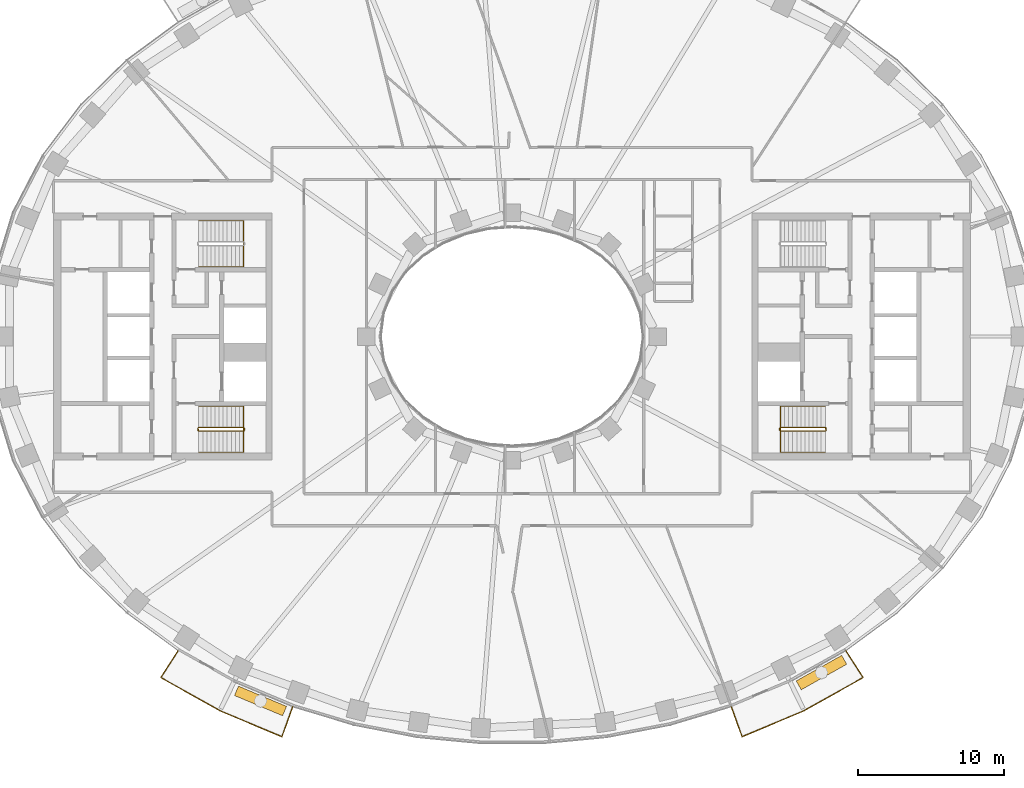
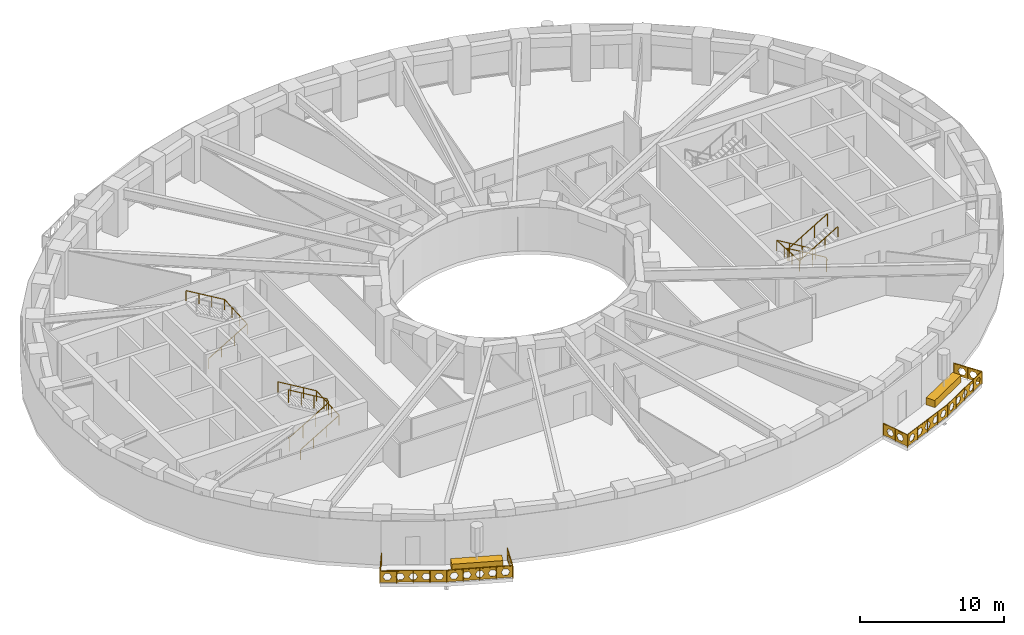
# One storey, part 13 of 15: 7 railings, 2 coverings.
"""IFC4 building model written with IfcOpenShell, lengths in metres."""

from ifc_helpers import new_model, si_unit, direction, frame, origin, origin_2d, place, context, subcontext, project, spatial, polyline, rectangle, outline, extrude, material, type_object, element, save


model = new_model("IFC4")

# Units and contexts
model_context = context("Model", 3, precision=1e-05, world=origin(), true_north=direction((0.0, 1.0)))
body_context = subcontext(model_context, "Body", "Model", "MODEL_VIEW")
ifc_project = project(units=[si_unit("LENGTHUNIT", "METRE"), si_unit("AREAUNIT", "SQUARE_METRE"), si_unit("VOLUMEUNIT", "CUBIC_METRE"), si_unit("PLANEANGLEUNIT", "RADIAN"), si_unit("MASSUNIT", "GRAM", prefix="KILO")], contexts=[model_context])

# Site, building, storey
site_placement = place(None, origin())
site = spatial("IfcSite", under=ifc_project, at=site_placement, CompositionType="ELEMENT")
building_placement = place(site_placement, origin())
building = spatial("IfcBuilding", under=site, at=building_placement, Name="Noorbagh Ring Tower", CompositionType="ELEMENT")
storey_placement = place(building_placement, frame((0.0, 0.0, 104.0)))
storey = spatial("IfcBuildingStorey", under=building, at=storey_placement, Name="L23", CompositionType="ELEMENT", Elevation=104.0)

# Railings
ifc_material_1 = material(Name="Stainless steel", Category="steel")
railing_type_1 = type_object("IfcRailingType", Name="CORE-STAIR-GUARD", PredefinedType="GUARDRAIL", material=ifc_material_1)
railing_1_placement = place(storey_placement, frame((-21.580078125, -6.449951171875, 0.0)))
element("IfcRailing", 1, at=railing_1_placement, inside=storey, type_object=railing_type_1, Name="L23 ST2 stair guard", PredefinedType="GUARDRAIL", context=body_context, shape_type="SweptSolid", body=[
    extrude(rectangle(XDim=0.048095703125, YDim=0.048095703125, at=origin_2d()), frame((0.0, 0.0, 1.076171875), z_axis=(0.0, 1.0, 0.0), x_axis=(-1.0, 0.0, 0.0)), (0.0, 0.0, 1.0), 0.14990234375),
    extrude(rectangle(XDim=0.048095703125, YDim=0.048095703125, at=origin_2d()), frame((0.0, 0.14990234375, 1.076171875), z_axis=(0.188775798145, -0.754182335027, 0.628945707965), x_axis=(0.970072785993, 0.242814311512, 0.0)), (0.0, 0.0, 1.0), 0.26513671875),
    extrude(rectangle(XDim=0.048095703125, YDim=0.048095703125, at=origin_2d()), frame((0.050048828125, -0.050048828125, 1.24267578125), z_axis=(0.859308565015, 0.0, 0.511457515432), x_axis=(0.0, 1.0, 0.0)), (0.0, 0.0, 1.0), 3.58447265625),
    extrude(rectangle(XDim=0.048095703125, YDim=0.048095703125, at=origin_2d()), frame((3.130126953125, -0.050048828125, 3.076171875), z_axis=(0.707106781187, 0.707106781187, 0.0), x_axis=(-0.707106781187, 0.707106781187, 0.0)), (0.0, 0.0, 1.0), 0.07080078125),
    extrude(rectangle(XDim=0.048095703125, YDim=0.048095703125, at=origin_2d()), frame((3.18017578125, 0.0, 3.076171875), z_axis=(0.0, 1.0, 0.0), x_axis=(-1.0, 0.0, 0.0)), (0.0, 0.0, 1.0), 0.14990234375),
    extrude(rectangle(XDim=0.048095703125, YDim=0.048095703125, at=origin_2d()), frame((3.18017578125, 0.14990234375, 3.076171875), z_axis=(-0.27628659633, 0.27628659633, 0.920506074601), x_axis=(-0.707106781187, -0.707106781187, 0.0)), (0.0, 0.0, 1.0), 0.18115234375),
    extrude(rectangle(XDim=0.048095703125, YDim=0.048095703125, at=origin_2d()), frame((3.130126953125, 0.199951171875, 3.24267578125), z_axis=(-0.859308565015, 0.0, 0.511457515432), x_axis=(0.0, -1.0, 0.0)), (0.0, 0.0, 1.0), 3.58447265625),
    extrude(rectangle(XDim=0.0419921875, YDim=0.0419921875, at=origin_2d()), origin(), (0.0, 0.0, 1.0), 1.052001953125),
    extrude(rectangle(XDim=0.0419921875, YDim=0.0419921875, at=origin_2d()), frame((1.07666015625, -0.050048828125, 0.77783203125)), (0.0, 0.0, 1.0), 1.052001953125),
    extrude(rectangle(XDim=0.0419921875, YDim=0.0419921875, at=origin_2d()), frame((2.103515625, -0.050048828125, 1.388916015625)), (0.0, 0.0, 1.0), 1.052001953125),
    extrude(rectangle(XDim=0.0419921875, YDim=0.0419921875, at=origin_2d()), frame((3.130126953125, -0.050048828125, 2.0)), (0.0, 0.0, 1.0), 1.052001953125),
    extrude(rectangle(XDim=0.0419921875, YDim=0.0419921875, at=origin_2d()), frame((3.130126953125, 0.199951171875, 2.166748046875)), (0.0, 0.0, 1.0), 1.052001953125),
    extrude(rectangle(XDim=0.0419921875, YDim=0.0419921875, at=origin_2d()), frame((2.103515625, 0.199951171875, 2.77783203125)), (0.0, 0.0, 1.0), 1.052001953125),
    extrude(rectangle(XDim=0.0419921875, YDim=0.0419921875, at=origin_2d()), frame((1.07666015625, 0.199951171875, 3.388916015625)), (0.0, 0.0, 1.0), 1.052001953125),
    extrude(rectangle(XDim=0.0419921875, YDim=0.0419921875, at=origin_2d()), frame((0.050048828125, 0.199951171875, 4.0)), (0.0, 0.0, 1.0), 1.052001953125),
])
railing_2_placement = place(storey_placement, frame((21.580078125, -6.300048828125, 0.0)))
element("IfcRailing", 2, at=railing_2_placement, inside=storey, type_object=railing_type_1, Name="L23 ST4 stair guard", PredefinedType="GUARDRAIL", context=body_context, shape_type="SweptSolid", body=[
    extrude(rectangle(XDim=0.048095703125, YDim=0.048095703125, at=origin_2d()), frame((0.0, 0.0, 1.076171875), z_axis=(0.0, -1.0, 0.0), x_axis=(1.0, 0.0, 0.0)), (0.0, 0.0, 1.0), 0.14990234375),
    extrude(rectangle(XDim=0.048095703125, YDim=0.048095703125, at=origin_2d()), frame((0.0, -0.14990234375, 1.076171875), z_axis=(-0.188775798145, 0.754182335027, 0.628945707965), x_axis=(-0.970072785993, -0.242814311512, 0.0)), (0.0, 0.0, 1.0), 0.26513671875),
    extrude(rectangle(XDim=0.048095703125, YDim=0.048095703125, at=origin_2d()), frame((-0.050048828125, 0.050048828125, 1.24267578125), z_axis=(-0.859308565015, 0.0, 0.511457515432), x_axis=(0.0, -1.0, 0.0)), (0.0, 0.0, 1.0), 3.58447265625),
    extrude(rectangle(XDim=0.048095703125, YDim=0.048095703125, at=origin_2d()), frame((-3.130126953125, 0.050048828125, 3.076171875), z_axis=(-0.707106781187, -0.707106781187, 0.0), x_axis=(0.707106781187, -0.707106781187, 0.0)), (0.0, 0.0, 1.0), 0.07080078125),
    extrude(rectangle(XDim=0.048095703125, YDim=0.048095703125, at=origin_2d()), frame((-3.18017578125, 0.0, 3.076171875), z_axis=(0.0, -1.0, 0.0), x_axis=(1.0, 0.0, 0.0)), (0.0, 0.0, 1.0), 0.14990234375),
    extrude(rectangle(XDim=0.048095703125, YDim=0.048095703125, at=origin_2d()), frame((-3.18017578125, -0.14990234375, 3.076171875), z_axis=(0.27628659633, -0.27628659633, 0.920506074601), x_axis=(0.707106781187, 0.707106781187, 0.0)), (0.0, 0.0, 1.0), 0.18115234375),
    extrude(rectangle(XDim=0.048095703125, YDim=0.048095703125, at=origin_2d()), frame((-3.130126953125, -0.199951171875, 3.24267578125), z_axis=(0.859308565015, 0.0, 0.511457515432), x_axis=(0.0, 1.0, 0.0)), (0.0, 0.0, 1.0), 3.58447265625),
    extrude(rectangle(XDim=0.0419921875, YDim=0.0419921875, at=origin_2d()), origin(), (0.0, 0.0, 1.0), 1.052001953125),
    extrude(rectangle(XDim=0.0419921875, YDim=0.0419921875, at=origin_2d()), frame((-1.07666015625, 0.050048828125, 0.77783203125)), (0.0, 0.0, 1.0), 1.052001953125),
    extrude(rectangle(XDim=0.0419921875, YDim=0.0419921875, at=origin_2d()), frame((-2.103515625, 0.050048828125, 1.388916015625)), (0.0, 0.0, 1.0), 1.052001953125),
    extrude(rectangle(XDim=0.0419921875, YDim=0.0419921875, at=origin_2d()), frame((-3.130126953125, 0.050048828125, 2.0)), (0.0, 0.0, 1.0), 1.052001953125),
    extrude(rectangle(XDim=0.0419921875, YDim=0.0419921875, at=origin_2d()), frame((-3.130126953125, -0.199951171875, 2.166748046875)), (0.0, 0.0, 1.0), 1.052001953125),
    extrude(rectangle(XDim=0.0419921875, YDim=0.0419921875, at=origin_2d()), frame((-2.103515625, -0.199951171875, 2.77783203125)), (0.0, 0.0, 1.0), 1.052001953125),
    extrude(rectangle(XDim=0.0419921875, YDim=0.0419921875, at=origin_2d()), frame((-1.07666015625, -0.199951171875, 3.388916015625)), (0.0, 0.0, 1.0), 1.052001953125),
    extrude(rectangle(XDim=0.0419921875, YDim=0.0419921875, at=origin_2d()), frame((-0.050048828125, -0.199951171875, 4.0)), (0.0, 0.0, 1.0), 1.052001953125),
])
ifc_material_2 = material(Name="Stainless steel", Category="steel")
railing_type_2 = type_object("IfcRailingType", Name="CORE-STAIR-HANDRAIL", PredefinedType="HANDRAIL", material=ifc_material_2)
railing_3_placement = place(storey_placement, frame((-21.530029296875, 4.800048828125, 0.166748046875)))
element("IfcRailing", 3, at=railing_3_placement, inside=storey, type_object=railing_type_2, Name="L23 ST1 stair handrail", PredefinedType="HANDRAIL", context=body_context, shape_type="SweptSolid", body=[
    extrude(rectangle(XDim=0.048095703125, YDim=0.048095703125, at=origin_2d()), frame((0.0, 0.0, 0.8759765625), z_axis=(0.859308565015, 0.0, 0.511457515432), x_axis=(0.0, 1.0, 0.0)), (0.0, 0.0, 1.0), 3.58447265625),
    extrude(rectangle(XDim=0.048095703125, YDim=0.048095703125, at=origin_2d()), frame((3.080078125, 0.0, 2.708984375), z_axis=(0.0, 0.998601747152, 0.052863509014), x_axis=(-1.0, 0.0, 0.0)), (0.0, 0.0, 1.0), 3.154296875),
    extrude(rectangle(XDim=0.048095703125, YDim=0.048095703125, at=origin_2d()), frame((3.080078125, 3.14990234375, 2.8759765625), z_axis=(-0.859308565015, 0.0, 0.511457515432), x_axis=(0.0, -1.0, 0.0)), (0.0, 0.0, 1.0), 3.58447265625),
    extrude(rectangle(XDim=0.0419921875, YDim=0.0419921875, at=origin_2d()), origin(), (0.0, 0.0, 1.0), 0.851806640625),
    extrude(rectangle(XDim=0.0419921875, YDim=0.0419921875, at=origin_2d()), frame((1.026611328125, 0.0, 0.611083984375)), (0.0, 0.0, 1.0), 0.851806640625),
    extrude(rectangle(XDim=0.0419921875, YDim=0.0419921875, at=origin_2d()), frame((2.053466796875, 0.0, 1.22216796875)), (0.0, 0.0, 1.0), 0.851806640625),
    extrude(rectangle(XDim=0.0419921875, YDim=0.0419921875, at=origin_2d()), frame((3.080078125, 0.0, 1.833251953125)), (0.0, 0.0, 1.0), 0.851806640625),
    extrude(rectangle(XDim=0.0419921875, YDim=0.0419921875, at=origin_2d()), frame((3.080078125, 1.050048828125, 1.888916015625)), (0.0, 0.0, 1.0), 0.851806640625),
    extrude(rectangle(XDim=0.0419921875, YDim=0.0419921875, at=origin_2d()), frame((3.080078125, 2.099853515625, 1.9443359375)), (0.0, 0.0, 1.0), 0.851806640625),
    extrude(rectangle(XDim=0.0419921875, YDim=0.0419921875, at=origin_2d()), frame((3.080078125, 3.14990234375, 2.0)), (0.0, 0.0, 1.0), 0.851806640625),
    extrude(rectangle(XDim=0.0419921875, YDim=0.0419921875, at=origin_2d()), frame((2.053466796875, 3.14990234375, 2.611083984375)), (0.0, 0.0, 1.0), 0.851806640625),
    extrude(rectangle(XDim=0.0419921875, YDim=0.0419921875, at=origin_2d()), frame((1.026611328125, 3.14990234375, 3.22216796875)), (0.0, 0.0, 1.0), 0.851806640625),
    extrude(rectangle(XDim=0.0419921875, YDim=0.0419921875, at=origin_2d()), frame((0.0, 3.14990234375, 3.833251953125)), (0.0, 0.0, 1.0), 0.851806640625),
])
railing_4_placement = place(storey_placement, frame((-21.530029296875, -7.949951171875, 0.166748046875)))
element("IfcRailing", 4, at=railing_4_placement, inside=storey, type_object=railing_type_2, Name="L23 ST2 stair handrail", PredefinedType="HANDRAIL", context=body_context, shape_type="SweptSolid", body=[
    extrude(rectangle(XDim=0.048095703125, YDim=0.048095703125, at=origin_2d()), frame((0.0, 0.0, 0.8759765625), z_axis=(0.859308565015, 0.0, 0.511457515432), x_axis=(0.0, 1.0, 0.0)), (0.0, 0.0, 1.0), 3.58447265625),
    extrude(rectangle(XDim=0.048095703125, YDim=0.048095703125, at=origin_2d()), frame((3.080078125, 0.0, 2.708984375), z_axis=(0.0, 0.998601747152, 0.052863509014), x_axis=(-1.0, 0.0, 0.0)), (0.0, 0.0, 1.0), 3.154296875),
    extrude(rectangle(XDim=0.048095703125, YDim=0.048095703125, at=origin_2d()), frame((3.080078125, 3.14990234375, 2.8759765625), z_axis=(-0.859308565015, 0.0, 0.511457515432), x_axis=(0.0, -1.0, 0.0)), (0.0, 0.0, 1.0), 3.58447265625),
    extrude(rectangle(XDim=0.0419921875, YDim=0.0419921875, at=origin_2d()), origin(), (0.0, 0.0, 1.0), 0.851806640625),
    extrude(rectangle(XDim=0.0419921875, YDim=0.0419921875, at=origin_2d()), frame((1.026611328125, 0.0, 0.611083984375)), (0.0, 0.0, 1.0), 0.851806640625),
    extrude(rectangle(XDim=0.0419921875, YDim=0.0419921875, at=origin_2d()), frame((2.053466796875, 0.0, 1.22216796875)), (0.0, 0.0, 1.0), 0.851806640625),
    extrude(rectangle(XDim=0.0419921875, YDim=0.0419921875, at=origin_2d()), frame((3.080078125, 0.0, 1.833251953125)), (0.0, 0.0, 1.0), 0.851806640625),
    extrude(rectangle(XDim=0.0419921875, YDim=0.0419921875, at=origin_2d()), frame((3.080078125, 1.050048828125, 1.888916015625)), (0.0, 0.0, 1.0), 0.851806640625),
    extrude(rectangle(XDim=0.0419921875, YDim=0.0419921875, at=origin_2d()), frame((3.080078125, 2.099853515625, 1.9443359375)), (0.0, 0.0, 1.0), 0.851806640625),
    extrude(rectangle(XDim=0.0419921875, YDim=0.0419921875, at=origin_2d()), frame((3.080078125, 3.14990234375, 2.0)), (0.0, 0.0, 1.0), 0.851806640625),
    extrude(rectangle(XDim=0.0419921875, YDim=0.0419921875, at=origin_2d()), frame((2.053466796875, 3.14990234375, 2.611083984375)), (0.0, 0.0, 1.0), 0.851806640625),
    extrude(rectangle(XDim=0.0419921875, YDim=0.0419921875, at=origin_2d()), frame((1.026611328125, 3.14990234375, 3.22216796875)), (0.0, 0.0, 1.0), 0.851806640625),
    extrude(rectangle(XDim=0.0419921875, YDim=0.0419921875, at=origin_2d()), frame((0.0, 3.14990234375, 3.833251953125)), (0.0, 0.0, 1.0), 0.851806640625),
])
railing_5_placement = place(storey_placement, frame((21.530029296875, -4.800048828125, 0.166748046875)))
element("IfcRailing", 5, at=railing_5_placement, inside=storey, type_object=railing_type_2, Name="L23 ST4 stair handrail", PredefinedType="HANDRAIL", context=body_context, shape_type="SweptSolid", body=[
    extrude(rectangle(XDim=0.048095703125, YDim=0.048095703125, at=origin_2d()), frame((0.0, 0.0, 0.8759765625), z_axis=(-0.859308565015, 0.0, 0.511457515432), x_axis=(0.0, -1.0, 0.0)), (0.0, 0.0, 1.0), 3.58447265625),
    extrude(rectangle(XDim=0.048095703125, YDim=0.048095703125, at=origin_2d()), frame((-3.080078125, 0.0, 2.708984375), z_axis=(0.0, -0.998601747152, 0.052863509014), x_axis=(1.0, 0.0, 0.0)), (0.0, 0.0, 1.0), 3.154296875),
    extrude(rectangle(XDim=0.048095703125, YDim=0.048095703125, at=origin_2d()), frame((-3.080078125, -3.14990234375, 2.8759765625), z_axis=(0.859308565015, 0.0, 0.511457515432), x_axis=(0.0, 1.0, 0.0)), (0.0, 0.0, 1.0), 3.58447265625),
    extrude(rectangle(XDim=0.0419921875, YDim=0.0419921875, at=origin_2d()), origin(), (0.0, 0.0, 1.0), 0.851806640625),
    extrude(rectangle(XDim=0.0419921875, YDim=0.0419921875, at=origin_2d()), frame((-1.026611328125, 0.0, 0.611083984375)), (0.0, 0.0, 1.0), 0.851806640625),
    extrude(rectangle(XDim=0.0419921875, YDim=0.0419921875, at=origin_2d()), frame((-2.053466796875, 0.0, 1.22216796875)), (0.0, 0.0, 1.0), 0.851806640625),
    extrude(rectangle(XDim=0.0419921875, YDim=0.0419921875, at=origin_2d()), frame((-3.080078125, 0.0, 1.833251953125)), (0.0, 0.0, 1.0), 0.851806640625),
    extrude(rectangle(XDim=0.0419921875, YDim=0.0419921875, at=origin_2d()), frame((-3.080078125, -1.050048828125, 1.888916015625)), (0.0, 0.0, 1.0), 0.851806640625),
    extrude(rectangle(XDim=0.0419921875, YDim=0.0419921875, at=origin_2d()), frame((-3.080078125, -2.099853515625, 1.9443359375)), (0.0, 0.0, 1.0), 0.851806640625),
    extrude(rectangle(XDim=0.0419921875, YDim=0.0419921875, at=origin_2d()), frame((-3.080078125, -3.14990234375, 2.0)), (0.0, 0.0, 1.0), 0.851806640625),
    extrude(rectangle(XDim=0.0419921875, YDim=0.0419921875, at=origin_2d()), frame((-2.053466796875, -3.14990234375, 2.611083984375)), (0.0, 0.0, 1.0), 0.851806640625),
    extrude(rectangle(XDim=0.0419921875, YDim=0.0419921875, at=origin_2d()), frame((-1.026611328125, -3.14990234375, 3.22216796875)), (0.0, 0.0, 1.0), 0.851806640625),
    extrude(rectangle(XDim=0.0419921875, YDim=0.0419921875, at=origin_2d()), frame((0.0, -3.14990234375, 3.833251953125)), (0.0, 0.0, 1.0), 0.851806640625),
])
ifc_material_3 = material(Name="Steel S275 black powder-coated", Category="steel")
railing_type_3 = type_object("IfcRailingType", Name="ENV-GUARD", PredefinedType="GUARDRAIL", material=ifc_material_3)
railing_6_placement = place(storey_placement, frame((-22.9326171875, -21.583740234375, 0.0)))
element("IfcRailing", 6, at=railing_6_placement, inside=storey, type_object=railing_type_3, Name="Balcony guard BS02", PredefinedType="GUARDRAIL", context=body_context, shape_type="SweptSolid", body=[
    extrude(rectangle(XDim=0.048095703125, YDim=0.048095703125, at=origin_2d()), frame((0.0, 0.0, 1.076171875), z_axis=(-0.542268136821, -0.840205491406, 0.0), x_axis=(0.840205491406, -0.542268136821, 0.0)), (0.0, 0.0, 1.0), 2.204345703125),
    extrude(rectangle(XDim=0.048095703125, YDim=0.048095703125, at=origin_2d()), frame((-1.1953125, -1.85205078125, 1.076171875), z_axis=(0.872052247658, -0.489412788303, 0.0), x_axis=(0.489412788303, 0.872052247658, 0.0)), (0.0, 0.0, 1.0), 4.646240234375),
    extrude(rectangle(XDim=0.048095703125, YDim=0.048095703125, at=origin_2d()), frame((2.8564453125, -4.1259765625, 1.076171875), z_axis=(0.921809087722, -0.387644174203, 0.0), x_axis=(0.387644174203, 0.921809087722, 0.0)), (0.0, 0.0, 1.0), 4.627197265625),
    extrude(rectangle(XDim=0.048095703125, YDim=0.048095703125, at=origin_2d()), frame((7.121826171875, -5.919677734375, 1.076171875), z_axis=(0.338350546839, 0.941020141896, 0.0), x_axis=(-0.941020141896, 0.338350546839, 0.0)), (0.0, 0.0, 1.0), 2.202880859375),
    extrude(rectangle(XDim=0.0419921875, YDim=0.0419921875, at=origin_2d()), origin(), (0.0, 0.0, 1.0), 1.052001953125),
    extrude(rectangle(XDim=0.0419921875, YDim=0.0419921875, at=origin_2d()), frame((-0.59765625, -0.926025390625, 0.0)), (0.0, 0.0, 1.0), 1.052001953125),
    extrude(rectangle(XDim=0.0419921875, YDim=0.0419921875, at=origin_2d()), frame((-1.1953125, -1.85205078125, 0.0)), (0.0, 0.0, 1.0), 1.052001953125),
    extrude(rectangle(XDim=0.0419921875, YDim=0.0419921875, at=origin_2d()), frame((-0.182373046875, -2.42041015625, 0.0)), (0.0, 0.0, 1.0), 1.052001953125),
    extrude(rectangle(XDim=0.0419921875, YDim=0.0419921875, at=origin_2d()), frame((0.83056640625, -2.989013671875, 0.0)), (0.0, 0.0, 1.0), 1.052001953125),
    extrude(rectangle(XDim=0.0419921875, YDim=0.0419921875, at=origin_2d()), frame((1.843505859375, -3.5576171875, 0.0)), (0.0, 0.0, 1.0), 1.052001953125),
    extrude(rectangle(XDim=0.0419921875, YDim=0.0419921875, at=origin_2d()), frame((2.8564453125, -4.1259765625, 0.0)), (0.0, 0.0, 1.0), 1.052001953125),
    extrude(rectangle(XDim=0.0419921875, YDim=0.0419921875, at=origin_2d()), frame((3.9228515625, -4.574462890625, 0.0)), (0.0, 0.0, 1.0), 1.052001953125),
    extrude(rectangle(XDim=0.0419921875, YDim=0.0419921875, at=origin_2d()), frame((4.9892578125, -5.02294921875, 0.0)), (0.0, 0.0, 1.0), 1.052001953125),
    extrude(rectangle(XDim=0.0419921875, YDim=0.0419921875, at=origin_2d()), frame((6.055419921875, -5.47119140625, 0.0)), (0.0, 0.0, 1.0), 1.052001953125),
    extrude(rectangle(XDim=0.0419921875, YDim=0.0419921875, at=origin_2d()), frame((7.121826171875, -5.919677734375, 0.0)), (0.0, 0.0, 1.0), 1.052001953125),
    extrude(rectangle(XDim=0.0419921875, YDim=0.0419921875, at=origin_2d()), frame((7.49462890625, -4.88330078125, 0.0)), (0.0, 0.0, 1.0), 1.052001953125),
    extrude(rectangle(XDim=0.0419921875, YDim=0.0419921875, at=origin_2d()), frame((7.8671875, -3.8466796875, 0.0)), (0.0, 0.0, 1.0), 1.052001953125),
    extrude(outline(polyline([(0.0, 0.10009765625), (2.204345703125, 0.10009765625), (2.204345703125, 1.031982421875), (0.0, 1.031982421875), (0.0, 0.10009765625)]), holes=[polyline([(0.962158203125, 0.56591796875), (0.80712890625, 0.83447265625), (0.4970703125, 0.83447265625), (0.342041015625, 0.56591796875), (0.4970703125, 0.297607421875), (0.80712890625, 0.297607421875), (0.962158203125, 0.56591796875)]), polyline([(1.862060546875, 0.56591796875), (1.70703125, 0.83447265625), (1.397216796875, 0.83447265625), (1.2421875, 0.56591796875), (1.397216796875, 0.297607421875), (1.70703125, 0.297607421875), (1.862060546875, 0.56591796875)])]), frame((0.00830078125, -0.00537109375, 0.0), z_axis=(-0.840205491406, 0.542268136821, 0.0), x_axis=(-0.542268136821, -0.840205491406, 0.0)), (0.0, 0.0, 1.0), 0.02001953125),
    extrude(outline(polyline([(0.0, 0.10009765625), (4.646240234375, 0.10009765625), (4.646240234375, 1.031982421875), (0.0, 1.031982421875), (0.0, 0.10009765625)]), holes=[polyline([(0.8330078125, 0.56591796875), (0.67822265625, 0.83447265625), (0.3681640625, 0.83447265625), (0.213134765625, 0.56591796875), (0.3681640625, 0.297607421875), (0.67822265625, 0.297607421875), (0.8330078125, 0.56591796875)]), polyline([(1.733154296875, 0.56591796875), (1.578125, 0.83447265625), (1.26806640625, 0.83447265625), (1.113037109375, 0.56591796875), (1.26806640625, 0.297607421875), (1.578125, 0.297607421875), (1.733154296875, 0.56591796875)]), polyline([(2.633056640625, 0.56591796875), (2.47802734375, 0.83447265625), (2.168212890625, 0.83447265625), (2.01318359375, 0.56591796875), (2.168212890625, 0.297607421875), (2.47802734375, 0.297607421875), (2.633056640625, 0.56591796875)]), polyline([(3.533203125, 0.56591796875), (3.378173828125, 0.83447265625), (3.068115234375, 0.83447265625), (2.9130859375, 0.56591796875), (3.068115234375, 0.297607421875), (3.378173828125, 0.297607421875), (3.533203125, 0.56591796875)]), polyline([(4.43310546875, 0.56591796875), (4.278076171875, 0.83447265625), (3.968017578125, 0.83447265625), (3.813232421875, 0.56591796875), (3.968017578125, 0.297607421875), (4.278076171875, 0.297607421875), (4.43310546875, 0.56591796875)])]), frame((-1.1904296875, -1.84326171875, 0.0), z_axis=(-0.489412788303, -0.872052247658, 0.0), x_axis=(0.872052247658, -0.489412788303, 0.0)), (0.0, 0.0, 1.0), 0.02001953125),
    extrude(outline(polyline([(0.0, 0.10009765625), (4.627197265625, 0.10009765625), (4.627197265625, 1.031982421875), (0.0, 1.031982421875), (0.0, 0.10009765625)]), holes=[polyline([(0.823486328125, 0.56591796875), (0.668701171875, 0.83447265625), (0.358642578125, 0.83447265625), (0.20361328125, 0.56591796875), (0.358642578125, 0.297607421875), (0.668701171875, 0.297607421875), (0.823486328125, 0.56591796875)]), polyline([(1.7236328125, 0.56591796875), (1.568603515625, 0.83447265625), (1.258544921875, 0.83447265625), (1.103515625, 0.56591796875), (1.258544921875, 0.297607421875), (1.568603515625, 0.297607421875), (1.7236328125, 0.56591796875)]), polyline([(2.62353515625, 0.56591796875), (2.468505859375, 0.83447265625), (2.15869140625, 0.83447265625), (2.003662109375, 0.56591796875), (2.15869140625, 0.297607421875), (2.468505859375, 0.297607421875), (2.62353515625, 0.56591796875)]), polyline([(3.523681640625, 0.56591796875), (3.36865234375, 0.83447265625), (3.05859375, 0.83447265625), (2.903564453125, 0.56591796875), (3.05859375, 0.297607421875), (3.36865234375, 0.297607421875), (3.523681640625, 0.56591796875)]), polyline([(4.423583984375, 0.56591796875), (4.2685546875, 0.83447265625), (3.95849609375, 0.83447265625), (3.8037109375, 0.56591796875), (3.95849609375, 0.297607421875), (4.2685546875, 0.297607421875), (4.423583984375, 0.56591796875)])]), frame((2.8603515625, -4.11669921875, 0.0), z_axis=(-0.387644174203, -0.921809087722, 0.0), x_axis=(0.921809087722, -0.387644174203, 0.0)), (0.0, 0.0, 1.0), 0.02001953125),
    extrude(outline(polyline([(0.0, 0.10009765625), (2.202880859375, 0.10009765625), (2.202880859375, 1.031982421875), (0.0, 1.031982421875), (0.0, 0.10009765625)]), holes=[polyline([(0.96142578125, 0.56591796875), (0.806396484375, 0.83447265625), (0.49658203125, 0.83447265625), (0.341552734375, 0.56591796875), (0.49658203125, 0.297607421875), (0.806396484375, 0.297607421875), (0.96142578125, 0.56591796875)]), polyline([(1.861572265625, 0.56591796875), (1.70654296875, 0.83447265625), (1.396484375, 0.83447265625), (1.241455078125, 0.56591796875), (1.396484375, 0.297607421875), (1.70654296875, 0.297607421875), (1.861572265625, 0.56591796875)])]), frame((7.1123046875, -5.916259765625, 0.0), z_axis=(0.941020141896, -0.338350546839, 0.0), x_axis=(0.338350546839, 0.941020141896, 0.0)), (0.0, 0.0, 1.0), 0.02001953125),
])
railing_7_placement = place(storey_placement, frame((15.0654296875, -25.430419921875, 0.0)))
element("IfcRailing", 7, at=railing_7_placement, inside=storey, type_object=railing_type_3, Name="Balcony guard BS05", PredefinedType="GUARDRAIL", context=body_context, shape_type="SweptSolid", body=[
    extrude(rectangle(XDim=0.048095703125, YDim=0.048095703125, at=origin_2d()), frame((0.0, 0.0, 1.076171875), z_axis=(0.338350546839, -0.941020141896, 0.0), x_axis=(0.941020141896, 0.338350546839, 0.0)), (0.0, 0.0, 1.0), 2.202880859375),
    extrude(rectangle(XDim=0.048095703125, YDim=0.048095703125, at=origin_2d()), frame((0.745361328125, -2.072998046875, 1.076171875), z_axis=(0.921809087722, 0.387644174203, 0.0), x_axis=(-0.387644174203, 0.921809087722, 0.0)), (0.0, 0.0, 1.0), 4.627197265625),
    extrude(rectangle(XDim=0.048095703125, YDim=0.048095703125, at=origin_2d()), frame((5.0107421875, -0.279296875, 1.076171875), z_axis=(0.872052247658, 0.489412788303, 0.0), x_axis=(-0.489412788303, 0.872052247658, 0.0)), (0.0, 0.0, 1.0), 4.646240234375),
    extrude(rectangle(XDim=0.048095703125, YDim=0.048095703125, at=origin_2d()), frame((9.0625, 1.99462890625, 1.076171875), z_axis=(-0.542268136821, 0.840205491406, 0.0), x_axis=(-0.840205491406, -0.542268136821, 0.0)), (0.0, 0.0, 1.0), 2.204345703125),
    extrude(rectangle(XDim=0.0419921875, YDim=0.0419921875, at=origin_2d()), origin(), (0.0, 0.0, 1.0), 1.052001953125),
    extrude(rectangle(XDim=0.0419921875, YDim=0.0419921875, at=origin_2d()), frame((0.37255859375, -1.03662109375, 0.0)), (0.0, 0.0, 1.0), 1.052001953125),
    extrude(rectangle(XDim=0.0419921875, YDim=0.0419921875, at=origin_2d()), frame((0.745361328125, -2.072998046875, 0.0)), (0.0, 0.0, 1.0), 1.052001953125),
    extrude(rectangle(XDim=0.0419921875, YDim=0.0419921875, at=origin_2d()), frame((1.811767578125, -1.62451171875, 0.0)), (0.0, 0.0, 1.0), 1.052001953125),
    extrude(rectangle(XDim=0.0419921875, YDim=0.0419921875, at=origin_2d()), frame((2.8779296875, -1.17626953125, 0.0)), (0.0, 0.0, 1.0), 1.052001953125),
    extrude(rectangle(XDim=0.0419921875, YDim=0.0419921875, at=origin_2d()), frame((3.9443359375, -0.727783203125, 0.0)), (0.0, 0.0, 1.0), 1.052001953125),
    extrude(rectangle(XDim=0.0419921875, YDim=0.0419921875, at=origin_2d()), frame((5.0107421875, -0.279296875, 0.0)), (0.0, 0.0, 1.0), 1.052001953125),
    extrude(rectangle(XDim=0.0419921875, YDim=0.0419921875, at=origin_2d()), frame((6.023681640625, 0.2890625, 0.0)), (0.0, 0.0, 1.0), 1.052001953125),
    extrude(rectangle(XDim=0.0419921875, YDim=0.0419921875, at=origin_2d()), frame((7.03662109375, 0.857666015625, 0.0)), (0.0, 0.0, 1.0), 1.052001953125),
    extrude(rectangle(XDim=0.0419921875, YDim=0.0419921875, at=origin_2d()), frame((8.049560546875, 1.42626953125, 0.0)), (0.0, 0.0, 1.0), 1.052001953125),
    extrude(rectangle(XDim=0.0419921875, YDim=0.0419921875, at=origin_2d()), frame((9.0625, 1.99462890625, 0.0)), (0.0, 0.0, 1.0), 1.052001953125),
    extrude(rectangle(XDim=0.0419921875, YDim=0.0419921875, at=origin_2d()), frame((8.46484375, 2.920654296875, 0.0)), (0.0, 0.0, 1.0), 1.052001953125),
    extrude(rectangle(XDim=0.0419921875, YDim=0.0419921875, at=origin_2d()), frame((7.8671875, 3.8466796875, 0.0)), (0.0, 0.0, 1.0), 1.052001953125),
    extrude(outline(polyline([(0.0, 0.10009765625), (2.202880859375, 0.10009765625), (2.202880859375, 1.031982421875), (0.0, 1.031982421875), (0.0, 0.10009765625)]), holes=[polyline([(0.96142578125, 0.56591796875), (0.806396484375, 0.83447265625), (0.49658203125, 0.83447265625), (0.341552734375, 0.56591796875), (0.49658203125, 0.297607421875), (0.806396484375, 0.297607421875), (0.96142578125, 0.56591796875)]), polyline([(1.861572265625, 0.56591796875), (1.70654296875, 0.83447265625), (1.396484375, 0.83447265625), (1.241455078125, 0.56591796875), (1.396484375, 0.297607421875), (1.70654296875, 0.297607421875), (1.861572265625, 0.56591796875)])]), frame((0.009521484375, 0.00341796875, 0.0), z_axis=(-0.941020141896, -0.338350546839, 0.0), x_axis=(0.338350546839, -0.941020141896, 0.0)), (0.0, 0.0, 1.0), 0.02001953125),
    extrude(outline(polyline([(0.0, 0.10009765625), (4.627197265625, 0.10009765625), (4.627197265625, 1.031982421875), (0.0, 1.031982421875), (0.0, 0.10009765625)]), holes=[polyline([(0.823486328125, 0.56591796875), (0.668701171875, 0.83447265625), (0.358642578125, 0.83447265625), (0.20361328125, 0.56591796875), (0.358642578125, 0.297607421875), (0.668701171875, 0.297607421875), (0.823486328125, 0.56591796875)]), polyline([(1.7236328125, 0.56591796875), (1.568603515625, 0.83447265625), (1.258544921875, 0.83447265625), (1.103515625, 0.56591796875), (1.258544921875, 0.297607421875), (1.568603515625, 0.297607421875), (1.7236328125, 0.56591796875)]), polyline([(2.62353515625, 0.56591796875), (2.468505859375, 0.83447265625), (2.15869140625, 0.83447265625), (2.003662109375, 0.56591796875), (2.15869140625, 0.297607421875), (2.468505859375, 0.297607421875), (2.62353515625, 0.56591796875)]), polyline([(3.523681640625, 0.56591796875), (3.36865234375, 0.83447265625), (3.05859375, 0.83447265625), (2.903564453125, 0.56591796875), (3.05859375, 0.297607421875), (3.36865234375, 0.297607421875), (3.523681640625, 0.56591796875)]), polyline([(4.423583984375, 0.56591796875), (4.2685546875, 0.83447265625), (3.95849609375, 0.83447265625), (3.8037109375, 0.56591796875), (3.95849609375, 0.297607421875), (4.2685546875, 0.297607421875), (4.423583984375, 0.56591796875)])]), frame((0.741455078125, -2.063720703125, 0.0), z_axis=(0.387644174203, -0.921809087722, 0.0), x_axis=(0.921809087722, 0.387644174203, 0.0)), (0.0, 0.0, 1.0), 0.02001953125),
    extrude(outline(polyline([(0.0, 0.10009765625), (4.646240234375, 0.10009765625), (4.646240234375, 1.031982421875), (0.0, 1.031982421875), (0.0, 0.10009765625)]), holes=[polyline([(0.8330078125, 0.56591796875), (0.67822265625, 0.83447265625), (0.3681640625, 0.83447265625), (0.213134765625, 0.56591796875), (0.3681640625, 0.297607421875), (0.67822265625, 0.297607421875), (0.8330078125, 0.56591796875)]), polyline([(1.733154296875, 0.56591796875), (1.578125, 0.83447265625), (1.26806640625, 0.83447265625), (1.113037109375, 0.56591796875), (1.26806640625, 0.297607421875), (1.578125, 0.297607421875), (1.733154296875, 0.56591796875)]), polyline([(2.633056640625, 0.56591796875), (2.47802734375, 0.83447265625), (2.168212890625, 0.83447265625), (2.01318359375, 0.56591796875), (2.168212890625, 0.297607421875), (2.47802734375, 0.297607421875), (2.633056640625, 0.56591796875)]), polyline([(3.533203125, 0.56591796875), (3.378173828125, 0.83447265625), (3.068115234375, 0.83447265625), (2.9130859375, 0.56591796875), (3.068115234375, 0.297607421875), (3.378173828125, 0.297607421875), (3.533203125, 0.56591796875)]), polyline([(4.43310546875, 0.56591796875), (4.278076171875, 0.83447265625), (3.968017578125, 0.83447265625), (3.813232421875, 0.56591796875), (3.968017578125, 0.297607421875), (4.278076171875, 0.297607421875), (4.43310546875, 0.56591796875)])]), frame((5.005859375, -0.2705078125, 0.0), z_axis=(0.489412788303, -0.872052247658, 0.0), x_axis=(0.872052247658, 0.489412788303, 0.0)), (0.0, 0.0, 1.0), 0.02001953125),
    extrude(outline(polyline([(0.0, 0.10009765625), (2.204345703125, 0.10009765625), (2.204345703125, 1.031982421875), (0.0, 1.031982421875), (0.0, 0.10009765625)]), holes=[polyline([(0.962158203125, 0.56591796875), (0.80712890625, 0.83447265625), (0.4970703125, 0.83447265625), (0.342041015625, 0.56591796875), (0.4970703125, 0.297607421875), (0.80712890625, 0.297607421875), (0.962158203125, 0.56591796875)]), polyline([(1.862060546875, 0.56591796875), (1.70703125, 0.83447265625), (1.397216796875, 0.83447265625), (1.2421875, 0.56591796875), (1.397216796875, 0.297607421875), (1.70703125, 0.297607421875), (1.862060546875, 0.56591796875)])]), frame((9.05419921875, 1.9892578125, 0.0), z_axis=(0.840205491406, 0.542268136821, 0.0), x_axis=(-0.542268136821, 0.840205491406, 0.0)), (0.0, 0.0, 1.0), 0.02001953125),
])

# Coverings
ifc_material_4 = material(Name="Concrete C30/37 planter with soil", Category="concrete")
covering_type = type_object("IfcCoveringType", Name="ENV-PLANTER", PredefinedType="CLADDING", material=ifc_material_4)
covering_1_placement = place(storey_placement, frame((-17.280517578125, -25.041259765625, 0.0), z_axis=(0.0, 0.0, 1.0), x_axis=(0.921811566494, -0.387638279686, 0.0)))
element("IfcCovering", 8, at=covering_1_placement, inside=storey, type_object=covering_type, Name="PLANTER BS02", ObjectType="PLANTER", PredefinedType="CLADDING", context=body_context, shape_type="SweptSolid", body=[
    extrude(rectangle(XDim=3.5859375, YDim=0.699951171875, at=origin_2d()), origin(), (0.0, 0.0, 1.0), 0.60009765625),
])
covering_2_placement = place(storey_placement, frame((21.26513671875, -23.093017578125, 0.0), z_axis=(0.0, 0.0, 1.0), x_axis=(0.872044586249, 0.48942643941, 0.0)))
element("IfcCovering", 9, at=covering_2_placement, inside=storey, type_object=covering_type, Name="PLANTER BS05", ObjectType="PLANTER", PredefinedType="CLADDING", context=body_context, shape_type="SweptSolid", body=[
    extrude(rectangle(XDim=3.58544921875, YDim=0.699951171875, at=origin_2d()), origin(), (0.0, 0.0, 1.0), 0.60009765625),
])

save(model, "model.ifc")
